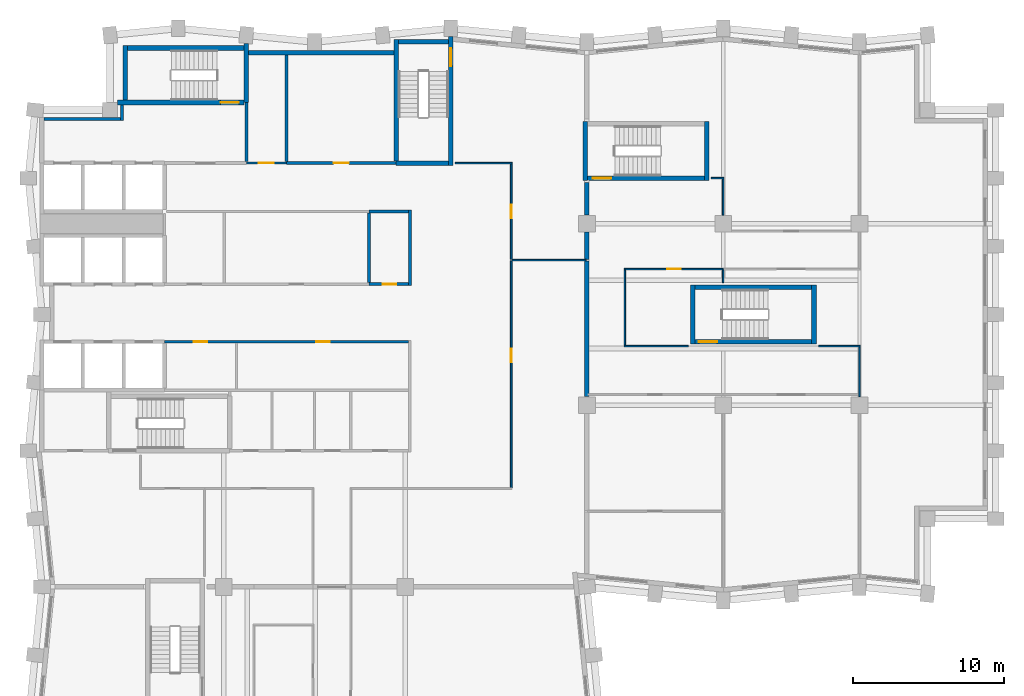
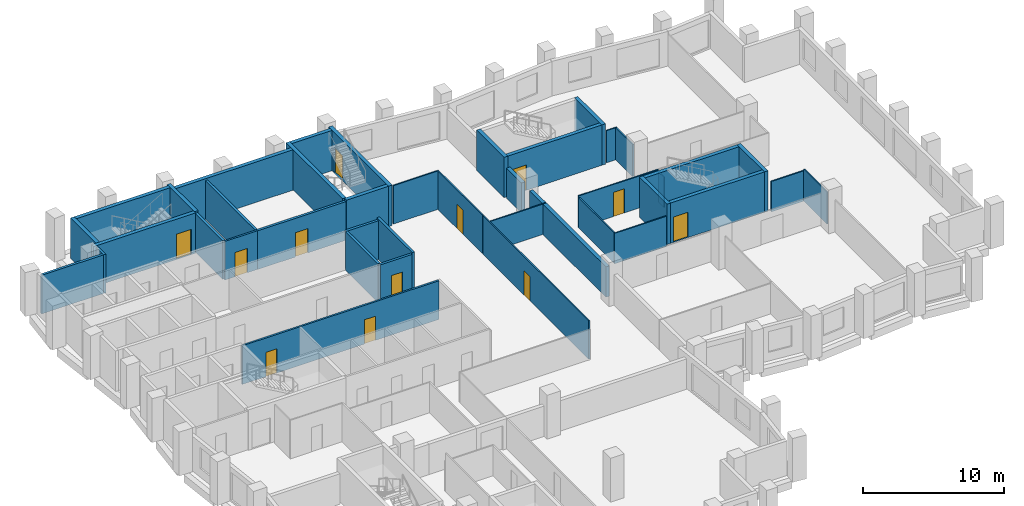
# One storey, part 6 of 10: 42 walls, 12 doors, 12 openings.
"""IFC4 building model written with IfcOpenShell, lengths in metres."""

from ifc_helpers import new_model, si_unit, direction, frame, frame_2d, origin, place, context, subcontext, project, spatial, rectangle, extrude, material, layer, layer_set, type_object, element, fill, save


model = new_model("IFC4")

# Units and contexts
model_context = context("Model", 3, precision=1e-05, world=origin(), true_north=direction((0.0, 1.0)))
body_context = subcontext(model_context, "Body", "Model", "MODEL_VIEW")
ifc_project = project(units=[si_unit("LENGTHUNIT", "METRE"), si_unit("AREAUNIT", "SQUARE_METRE"), si_unit("VOLUMEUNIT", "CUBIC_METRE"), si_unit("PLANEANGLEUNIT", "RADIAN"), si_unit("MASSUNIT", "GRAM", prefix="KILO")], contexts=[model_context])

# Site, building, storey
site_placement = place(None, origin())
site = spatial("IfcSite", under=ifc_project, at=site_placement, CompositionType="ELEMENT")
building_placement = place(site_placement, origin())
building = spatial("IfcBuilding", under=site, at=building_placement, Name="Brondeck Convention Tower", CompositionType="ELEMENT")
storey_placement = place(building_placement, frame((0.0, 0.0, 189.0)))
storey = spatial("IfcBuildingStorey", under=building, at=storey_placement, Name="L46", CompositionType="ELEMENT", Elevation=189.0)

# Walls
ifc_material_1 = material(Name="Concrete compartment wall C30/37", Category="concrete")
ifc_layer_1 = layer(ifc_material_1, 0.300048828125)
ifc_layer_set_1 = layer_set([ifc_layer_1], Name="Compartment wall 300")
wall_type_1 = type_object("IfcWallType", Name="Compartment wall 300", PredefinedType="PARTITIONING", material=ifc_layer_set_1)
wall_1_placement = place(storey_placement, frame((36.0, 39.570068359375, 0.0), z_axis=(0.0, 0.0, 1.0), x_axis=(0.0, 1.0, 0.0)))
element("IfcWall", 1, at=wall_1_placement, inside=storey, type_object=wall_type_1, Name="FLR-L46-W039", PredefinedType="PARTITIONING", context=body_context, shape_type="SweptSolid", body=[
    extrude(rectangle(XDim=8.968017578125, YDim=0.300048828125, at=frame_2d((4.48388671875, 0.0))), origin(), (0.0, 0.0, 1.0), 2.6298828125),
])
wall_2_placement = place(storey_placement, frame((36.0, 48.637939453125, 0.0), z_axis=(0.0, 0.0, 1.0), x_axis=(0.0, 1.0, 0.0)))
element("IfcWall", 2, at=wall_2_placement, inside=storey, type_object=wall_type_1, Name="FLR-L46-W049", PredefinedType="PARTITIONING", context=body_context, shape_type="SweptSolid", body=[
    extrude(rectangle(XDim=1.80712890625, YDim=0.300048828125, at=frame_2d((0.903564453125, 0.0))), origin(), (0.0, 0.0, 1.0), 2.6298828125),
])
wall_3_placement = place(storey_placement, frame((36.0, 51.554931640625, 0.0), z_axis=(0.0, 0.0, 1.0), x_axis=(0.0, 1.0, 0.0)))
element("IfcWall", 3, at=wall_3_placement, inside=storey, type_object=wall_type_1, Name="FLR-L46-W052", PredefinedType="PARTITIONING", context=body_context, shape_type="SweptSolid", body=[
    extrude(rectangle(XDim=2.14501953125, YDim=0.300048828125, at=frame_2d((1.072509765625, 0.0))), origin(), (0.0, 0.0, 1.0), 2.6298828125),
])
ifc_material_2 = material(Name="Concrete C70/85", Category="concrete")
ifc_layer_2 = layer(ifc_material_2, 0.199951171875)
ifc_layer_set_2 = layer_set([ifc_layer_2], Name="Core beam-seat wall 200 Concrete C70/85")
wall_type_2 = type_object("IfcWallType", Name="Core beam-seat wall 200 Concrete C70/85", PredefinedType="SHEAR", material=ifc_layer_set_2)
wall_4_placement = place(storey_placement, frame((24.300048828125, 46.89990234375, 0.0), z_axis=(0.0, 0.0, 1.0), x_axis=(0.0, 1.0, 0.0)))
element("IfcWall", 4, at=wall_4_placement, inside=storey, type_object=wall_type_2, Name="L46 core wall", PredefinedType="SHEAR", context=body_context, shape_type="SweptSolid", body=[
    extrude(rectangle(XDim=5.0, YDim=0.199951171875, at=frame_2d((2.5, 0.0))), origin(), (0.0, 0.0, 1.0), 3.5),
])
ifc_layer_3 = layer(ifc_material_2, 0.300048828125)
ifc_layer_set_3 = layer_set([ifc_layer_3], Name="Core outer wall 300 Concrete C70/85")
wall_type_3 = type_object("IfcWallType", Name="Core outer wall 300 Concrete C70/85", PredefinedType="SHEAR", material=ifc_layer_set_3)
wall_5_placement = place(storey_placement, frame((13.64990234375, 62.300048828125, 0.0), z_axis=(0.0, 0.0, 1.0), x_axis=(1.0, 0.0, 0.0)))
element("IfcWall", 5, at=wall_5_placement, inside=storey, type_object=wall_type_3, Name="L46 core wall", PredefinedType="SHEAR", context=body_context, shape_type="SweptSolid", body=[
    extrude(rectangle(XDim=9.60009765625, YDim=0.300048828125, at=frame_2d((4.800048828125, 0.0))), origin(), (0.0, 0.0, 1.0), 3.5),
])

# Wall, openings, doors
ifc_material_3 = material(Name="Fire-rated gypsum board partition")
ifc_layer_4 = layer(ifc_material_3, 0.14990234375)
ifc_layer_set_4 = layer_set([ifc_layer_4], Name="Core partition 150 EI 60")
wall_type_4 = type_object("IfcWallType", Name="Core partition 150 EI 60", PredefinedType="PARTITIONING", material=ifc_layer_set_4)
wall_6_placement = place(storey_placement, frame((8.10009765625, 43.199951171875, 0.0), z_axis=(0.0, 0.0, 1.0), x_axis=(1.0, 0.0, 0.0)))
wall_6 = element("IfcWall", 6, at=wall_6_placement, inside=storey, type_object=wall_type_4, Name="L46 core wall", PredefinedType="PARTITIONING", context=body_context, shape_type="SweptSolid", body=[
    extrude(rectangle(XDim=16.125, YDim=0.14990234375, at=frame_2d((8.0625, 0.0))), origin(), (0.0, 0.0, 1.0), 3.35009765625),
])
opening_1_placement = place(wall_6_placement, frame((1.925048828125, 0.0, 0.0)))
opening_1 = element("IfcOpeningElement", 7, at=opening_1_placement, cuts=wall_6, Name="Opening C25-10", PredefinedType="OPENING", context=body_context, shape_type="SweptSolid", body=[
    extrude(rectangle(XDim=0.89990234375, YDim=2.10009765625, at=frame_2d((0.449951171875, 1.050048828125))), frame((0.0, 0.0849609375, 0.0), z_axis=(0.0, -1.0, 0.0), x_axis=(1.0, 0.0, 0.0)), (0.0, 0.0, 1.0), 0.169921875),
])
opening_2_placement = place(wall_6_placement, frame((10.02490234375, 0.0, 0.0)))
opening_2 = element("IfcOpeningElement", 8, at=opening_2_placement, cuts=wall_6, Name="Opening C25-11", PredefinedType="OPENING", context=body_context, shape_type="SweptSolid", body=[
    extrude(rectangle(XDim=0.89990234375, YDim=2.10009765625, at=frame_2d((0.449951171875, 1.050048828125))), frame((0.0, 0.0849609375, 0.0), z_axis=(0.0, -1.0, 0.0), x_axis=(1.0, 0.0, 0.0)), (0.0, 0.0, 1.0), 0.169921875),
])
ifc_material_4 = material(Name="Steel fire door", Category="steel")
door_type_1 = type_object("IfcDoorType", Name="Room door 900x2100 EI 60", OperationType="NOTDEFINED", PredefinedType="DOOR", material=ifc_material_4)
door_1_placement = place(opening_1_placement, origin())
door_1 = element("IfcDoor", 9, at=door_1_placement, inside=storey, type_object=door_type_1, Name="L46 Room door FZ-S-8.1-1", OperationType="SINGLE_SWING_RIGHT", OverallHeight=2.10009765625, OverallWidth=0.89990234375, PredefinedType="DOOR", context=body_context, shape_type="SweptSolid", body=[
    extrude(rectangle(XDim=0.89990234375, YDim=2.10009765625, at=frame_2d((0.449951171875, 1.050048828125))), frame((0.0, 0.02490234375, 0.0), z_axis=(0.0, -1.0, 0.0), x_axis=(1.0, 0.0, 0.0)), (0.0, 0.0, 1.0), 0.050048828125),
])
fill(opening_1, door_1)
door_2_placement = place(opening_2_placement, origin())
door_2 = element("IfcDoor", 10, at=door_2_placement, inside=storey, type_object=door_type_1, Name="L46 Room door FZ-S-8.1-2", OperationType="SINGLE_SWING_LEFT", OverallHeight=2.10009765625, OverallWidth=0.89990234375, PredefinedType="DOOR", context=body_context, shape_type="SweptSolid", body=[
    extrude(rectangle(XDim=0.89990234375, YDim=2.10009765625, at=frame_2d((0.449951171875, 1.050048828125))), frame((0.0, 0.02490234375, 0.0), z_axis=(0.0, -1.0, 0.0), x_axis=(1.0, 0.0, 0.0)), (0.0, 0.0, 1.0), 0.050048828125),
])
fill(opening_2, door_2)

# Wall, opening, door
wall_7_placement = place(storey_placement, frame((13.5, 55.0, 0.0), z_axis=(0.0, 0.0, 1.0), x_axis=(1.0, 0.0, 0.0)))
wall_7 = element("IfcWall", 11, at=wall_7_placement, inside=storey, type_object=wall_type_4, Name="L46 core wall", PredefinedType="PARTITIONING", context=body_context, shape_type="SweptSolid", body=[
    extrude(rectangle(XDim=2.64990234375, YDim=0.14990234375, at=frame_2d((1.324951171875, 0.0))), origin(), (0.0, 0.0, 1.0), 3.35009765625),
])
opening_3_placement = place(wall_7_placement, frame((0.824951171875, 0.0, 0.0)))
opening_3 = element("IfcOpeningElement", 12, at=opening_3_placement, cuts=wall_7, Name="Opening C25-12", PredefinedType="OPENING", context=body_context, shape_type="SweptSolid", body=[
    extrude(rectangle(XDim=1.0, YDim=2.10009765625, at=frame_2d((0.5, 1.050048828125))), frame((0.0, 0.0849609375, 0.0), z_axis=(0.0, -1.0, 0.0), x_axis=(1.0, 0.0, 0.0)), (0.0, 0.0, 1.0), 0.169921875),
])
door_type_2 = type_object("IfcDoorType", Name="Room door 1000x2100 EI 60", OperationType="NOTDEFINED", PredefinedType="DOOR", material=ifc_material_4)
door_3_placement = place(opening_3_placement, origin())
door_3 = element("IfcDoor", 13, at=door_3_placement, inside=storey, type_object=door_type_2, Name="L46 Room door NE-1", OperationType="SINGLE_SWING_LEFT", OverallHeight=2.10009765625, OverallWidth=1.0, PredefinedType="DOOR", context=body_context, shape_type="SweptSolid", body=[
    extrude(rectangle(XDim=1.0, YDim=2.10009765625, at=frame_2d((0.5, 1.050048828125))), frame((0.0, 0.02490234375, 0.0), z_axis=(0.0, -1.0, 0.0), x_axis=(1.0, 0.0, 0.0)), (0.0, 0.0, 1.0), 0.050048828125),
])
fill(opening_3, door_3)

# Walls
ifc_layer_5 = layer(ifc_material_3, 0.199951171875)
ifc_layer_set_5 = layer_set([ifc_layer_5], Name="Firefighting lobby wall 200 EI 120")
wall_type_5 = type_object("IfcWallType", Name="Firefighting lobby wall 200 EI 120", PredefinedType="PARTITIONING", material=ifc_layer_set_5)
wall_8_placement = place(storey_placement, frame((0.14990234375, 57.89990234375, 0.0), z_axis=(0.0, 0.0, 1.0), x_axis=(1.0, 0.0, 0.0)))
element("IfcWall", 14, at=wall_8_placement, inside=storey, type_object=wall_type_5, Name="L46 core wall", PredefinedType="PARTITIONING", context=body_context, shape_type="SweptSolid", body=[
    extrude(rectangle(XDim=5.050048828125, YDim=0.199951171875, at=frame_2d((2.52490234375, 0.0))), origin(), (0.0, 0.0, 1.0), 3.35009765625),
])
wall_9_placement = place(storey_placement, frame((5.300048828125, 57.800048828125, 0.0), z_axis=(0.0, 0.0, 1.0), x_axis=(0.0, 1.0, 0.0)))
element("IfcWall", 15, at=wall_9_placement, inside=storey, type_object=wall_type_5, Name="L46 core wall", PredefinedType="PARTITIONING", context=body_context, shape_type="SweptSolid", body=[
    extrude(rectangle(XDim=1.050048828125, YDim=0.199951171875, at=frame_2d((0.52490234375, 0.0))), origin(), (0.0, 0.0, 1.0), 3.35009765625),
])
wall_10_placement = place(storey_placement, frame((13.5, 55.10009765625, 0.0), z_axis=(0.0, 0.0, 1.0), x_axis=(0.0, 1.0, 0.0)))
element("IfcWall", 16, at=wall_10_placement, inside=storey, type_object=wall_type_5, Name="L46 core wall", PredefinedType="PARTITIONING", context=body_context, shape_type="SweptSolid", body=[
    extrude(rectangle(XDim=3.89990234375, YDim=0.199951171875, at=frame_2d((1.949951171875, 0.0))), origin(), (0.0, 0.0, 1.0), 3.35009765625),
])

# Wall, opening, door
ifc_layer_6 = layer(ifc_material_3, 0.199951171875)
ifc_layer_set_6 = layer_set([ifc_layer_6], Name="Riser wall 200 EI 120")
wall_type_6 = type_object("IfcWallType", Name="Riser wall 200 EI 120", PredefinedType="PARTITIONING", material=ifc_layer_set_6)
wall_11_placement = place(storey_placement, frame((21.60009765625, 47.0, 0.0), z_axis=(0.0, 0.0, 1.0), x_axis=(1.0, 0.0, 0.0)))
wall_11 = element("IfcWall", 17, at=wall_11_placement, inside=storey, type_object=wall_type_6, Name="L46 core wall", PredefinedType="PARTITIONING", context=body_context, shape_type="SweptSolid", body=[
    extrude(rectangle(XDim=2.599853515625, YDim=0.199951171875, at=frame_2d((1.2998046875, 0.0))), origin(), (0.0, 0.0, 1.0), 3.35009765625),
])
opening_4_placement = place(wall_11_placement, frame((0.89990234375, 0.0, 0.0)))
opening_4 = element("IfcOpeningElement", 18, at=opening_4_placement, cuts=wall_11, Name="Opening C25-02", PredefinedType="OPENING", context=body_context, shape_type="SweptSolid", body=[
    extrude(rectangle(XDim=0.89990234375, YDim=2.10009765625, at=frame_2d((0.449951171875, 1.050048828125))), frame((0.0, 0.10986328125, 0.0), z_axis=(0.0, -1.0, 0.0), x_axis=(1.0, 0.0, 0.0)), (0.0, 0.0, 1.0), 0.219970703125),
])
door_type_3 = type_object("IfcDoorType", Name="Riser door 900x2100 EI 120", OperationType="NOTDEFINED", PredefinedType="DOOR", material=ifc_material_4)
door_4_placement = place(opening_4_placement, origin())
door_4 = element("IfcDoor", 19, at=door_4_placement, inside=storey, type_object=door_type_3, Name="L46 Riser door EN-1", OperationType="SINGLE_SWING_LEFT", OverallHeight=2.10009765625, OverallWidth=0.89990234375, PredefinedType="DOOR", context=body_context, shape_type="SweptSolid", body=[
    extrude(rectangle(XDim=0.89990234375, YDim=2.10009765625, at=frame_2d((0.449951171875, 1.050048828125))), frame((0.0, 0.02490234375, 0.0), z_axis=(0.0, -1.0, 0.0), x_axis=(1.0, 0.0, 0.0)), (0.0, 0.0, 1.0), 0.050048828125),
])
fill(opening_4, door_4)

# Wall
wall_12_placement = place(storey_placement, frame((21.60009765625, 51.800048828125, 0.0), z_axis=(0.0, 0.0, 1.0), x_axis=(1.0, 0.0, 0.0)))
element("IfcWall", 20, at=wall_12_placement, inside=storey, type_object=wall_type_6, Name="L46 core wall", PredefinedType="PARTITIONING", context=body_context, shape_type="SweptSolid", body=[
    extrude(rectangle(XDim=2.599853515625, YDim=0.199951171875, at=frame_2d((1.2998046875, 0.0))), origin(), (0.0, 0.0, 1.0), 3.35009765625),
])

# Wall, opening, door
wall_13_placement = place(storey_placement, frame((16.14990234375, 55.0, 0.0), z_axis=(0.0, 0.0, 1.0), x_axis=(1.0, 0.0, 0.0)))
wall_13 = element("IfcWall", 21, at=wall_13_placement, inside=storey, type_object=wall_type_6, Name="L46 core wall", PredefinedType="PARTITIONING", context=body_context, shape_type="SweptSolid", body=[
    extrude(rectangle(XDim=7.25, YDim=0.199951171875, at=frame_2d((3.625, 0.0))), origin(), (0.0, 0.0, 1.0), 3.35009765625),
])
opening_5_placement = place(wall_13_placement, frame((3.125, 0.0, 0.0)))
opening_5 = element("IfcOpeningElement", 22, at=opening_5_placement, cuts=wall_13, Name="Opening C25-13", PredefinedType="OPENING", context=body_context, shape_type="SweptSolid", body=[
    extrude(rectangle(XDim=1.0, YDim=2.10009765625, at=frame_2d((0.5, 1.050048828125))), frame((0.0, 0.10986328125, 0.0), z_axis=(0.0, -1.0, 0.0), x_axis=(1.0, 0.0, 0.0)), (0.0, 0.0, 1.0), 0.219970703125),
])
door_type_4 = type_object("IfcDoorType", Name="Riser door 1000x2100 EI 120", OperationType="NOTDEFINED", PredefinedType="DOOR", material=ifc_material_4)
door_5_placement = place(opening_5_placement, origin())
door_5 = element("IfcDoor", 23, at=door_5_placement, inside=storey, type_object=door_type_4, Name="L46 Riser door NE-2", OperationType="SINGLE_SWING_RIGHT", OverallHeight=2.10009765625, OverallWidth=1.0, PredefinedType="DOOR", context=body_context, shape_type="SweptSolid", body=[
    extrude(rectangle(XDim=1.0, YDim=2.10009765625, at=frame_2d((0.5, 1.050048828125))), frame((0.0, 0.02490234375, 0.0), z_axis=(0.0, -1.0, 0.0), x_axis=(1.0, 0.0, 0.0)), (0.0, 0.0, 1.0), 0.050048828125),
])
fill(opening_5, door_5)

# Walls
wall_14_placement = place(storey_placement, frame((16.14990234375, 55.10009765625, 0.0), z_axis=(0.0, 0.0, 1.0), x_axis=(0.0, 1.0, 0.0)))
element("IfcWall", 24, at=wall_14_placement, inside=storey, type_object=wall_type_6, Name="L46 core wall", PredefinedType="PARTITIONING", context=body_context, shape_type="SweptSolid", body=[
    extrude(rectangle(XDim=7.0498046875, YDim=0.199951171875, at=frame_2d((3.52490234375, 0.0))), origin(), (0.0, 0.0, 1.0), 3.35009765625),
])
wall_15_placement = place(storey_placement, frame((21.60009765625, 47.10009765625, 0.0), z_axis=(0.0, 0.0, 1.0), x_axis=(0.0, 1.0, 0.0)))
element("IfcWall", 25, at=wall_15_placement, inside=storey, type_object=wall_type_6, Name="L46 core wall", PredefinedType="PARTITIONING", context=body_context, shape_type="SweptSolid", body=[
    extrude(rectangle(XDim=4.599853515625, YDim=0.199951171875, at=frame_2d((2.2998046875, 0.0))), origin(), (0.0, 0.0, 1.0), 3.35009765625),
])
ifc_material_5 = material(Name="Gypsum board partition on steel studs", Category="steel")
ifc_layer_7 = layer(ifc_material_5, 0.10009765625)
ifc_layer_set_7 = layer_set([ifc_layer_7], Name="Room partition 100")
wall_type_7 = type_object("IfcWallType", Name="Room partition 100", PredefinedType="PARTITIONING", material=ifc_layer_set_7)
wall_16_placement = place(storey_placement, frame((54.0, 42.85009765625, 0.0), z_axis=(0.0, 0.0, 1.0), x_axis=(0.0, -1.0, 0.0)))
element("IfcWall", 26, at=wall_16_placement, inside=storey, type_object=wall_type_7, Name="FLR-L46-W040", PredefinedType="PARTITIONING", context=body_context, shape_type="SweptSolid", body=[
    extrude(rectangle(XDim=3.280029296875, YDim=0.10009765625, at=frame_2d((1.64013671875, 0.0))), origin(), (0.0, 0.0, 1.0), 2.780029296875),
])
wall_17_placement = place(storey_placement, frame((38.449951171875, 42.89990234375, 0.0), z_axis=(0.0, 0.0, 1.0), x_axis=(1.0, 0.0, 0.0)))
element("IfcWall", 27, at=wall_17_placement, inside=storey, type_object=wall_type_7, Name="FLR-L46-W041", PredefinedType="PARTITIONING", context=body_context, shape_type="SweptSolid", body=[
    extrude(rectangle(XDim=4.25, YDim=0.10009765625, at=frame_2d((2.125, 0.0))), origin(), (0.0, 0.0, 1.0), 2.6298828125),
])
wall_18_placement = place(storey_placement, frame((51.300048828125, 42.89990234375, 0.0), z_axis=(0.0, 0.0, 1.0), x_axis=(1.0, 0.0, 0.0)))
element("IfcWall", 28, at=wall_18_placement, inside=storey, type_object=wall_type_7, Name="FLR-L46-W042", PredefinedType="PARTITIONING", context=body_context, shape_type="SweptSolid", body=[
    extrude(rectangle(XDim=2.75, YDim=0.10009765625, at=frame_2d((1.375, 0.0))), origin(), (0.0, 0.0, 1.0), 2.6298828125),
])
wall_19_placement = place(storey_placement, frame((38.5, 47.949951171875, 0.0), z_axis=(0.0, 0.0, 1.0), x_axis=(0.0, -1.0, 0.0)))
element("IfcWall", 29, at=wall_19_placement, inside=storey, type_object=wall_type_7, Name="FLR-L46-W043", PredefinedType="PARTITIONING", context=body_context, shape_type="SweptSolid", body=[
    extrude(rectangle(XDim=5.0, YDim=0.10009765625, at=frame_2d((2.5, 0.0))), origin(), (0.0, 0.0, 1.0), 2.6298828125),
])
wall_20_placement = place(storey_placement, frame((45.0, 47.949951171875, 0.0), z_axis=(0.0, 0.0, 1.0), x_axis=(0.0, -1.0, 0.0)))
element("IfcWall", 30, at=wall_20_placement, inside=storey, type_object=wall_type_7, Name="FLR-L46-W044", PredefinedType="PARTITIONING", context=body_context, shape_type="SweptSolid", body=[
    extrude(rectangle(XDim=0.849853515625, YDim=0.10009765625, at=frame_2d((0.4248046875, 0.0))), origin(), (0.0, 0.0, 1.0), 2.6298828125),
])

# Wall, opening, door
wall_21_placement = place(storey_placement, frame((45.0, 48.0, 0.0), z_axis=(0.0, 0.0, 1.0), x_axis=(-1.0, 0.0, 0.0)))
wall_21 = element("IfcWall", 31, at=wall_21_placement, inside=storey, type_object=wall_type_7, Name="FLR-L46-W045", PredefinedType="PARTITIONING", context=body_context, shape_type="SweptSolid", body=[
    extrude(rectangle(XDim=6.550048828125, YDim=0.10009765625, at=frame_2d((3.27490234375, 0.0))), origin(), (0.0, 0.0, 1.0), 2.780029296875),
])
opening_6_placement = place(wall_21_placement, frame((2.800048828125, 0.0, 0.0)))
opening_6 = element("IfcOpeningElement", 32, at=opening_6_placement, cuts=wall_21, Name="Opening OF-J-002", PredefinedType="OPENING", context=body_context, shape_type="SweptSolid", body=[
    extrude(rectangle(XDim=0.89990234375, YDim=2.10009765625, at=frame_2d((0.449951171875, 1.050048828125))), frame((0.0, 0.06005859375, 0.0), z_axis=(0.0, -1.0, 0.0), x_axis=(1.0, 0.0, 0.0)), (0.0, 0.0, 1.0), 0.1201171875),
])
ifc_material_6 = material(Name="Solid timber door leaf", Category="wood")
door_type_5 = type_object("IfcDoorType", Name="Single door 900", OperationType="NOTDEFINED", PredefinedType="DOOR", material=ifc_material_6)
door_6_placement = place(opening_6_placement, origin())
door_6 = element("IfcDoor", 33, at=door_6_placement, inside=storey, type_object=door_type_5, Name="Door OF-J-002", OperationType="SINGLE_SWING_RIGHT", OverallHeight=2.10009765625, OverallWidth=0.89990234375, PredefinedType="DOOR", context=body_context, shape_type="SweptSolid", body=[
    extrude(rectangle(XDim=0.89990234375, YDim=2.10009765625, at=frame_2d((0.449951171875, 1.050048828125))), frame((0.0, 0.02490234375, 0.0), z_axis=(0.0, -1.0, 0.0), x_axis=(1.0, 0.0, 0.0)), (0.0, 0.0, 1.0), 0.050048828125),
])
fill(opening_6, door_6)

wall_22_placement = place(storey_placement, frame((31.0, 48.5380859375, 0.0), z_axis=(0.0, 0.0, 1.0), x_axis=(0.0, -1.0, 0.0)))
wall_22 = element("IfcWall", 34, at=wall_22_placement, inside=storey, type_object=wall_type_7, Name="FLR-L46-W047", PredefinedType="PARTITIONING", context=body_context, shape_type="SweptSolid", body=[
    extrude(rectangle(XDim=14.988037109375, YDim=0.10009765625, at=frame_2d((7.494140625, 0.0))), origin(), (0.0, 0.0, 1.0), 3.330078125),
])
opening_7_placement = place(wall_22_placement, frame((5.7939453125, 0.0, 0.0)))
opening_7 = element("IfcOpeningElement", 35, at=opening_7_placement, cuts=wall_22, Name="Opening OF-J-014", PredefinedType="OPENING", context=body_context, shape_type="SweptSolid", body=[
    extrude(rectangle(XDim=0.89990234375, YDim=2.10009765625, at=frame_2d((0.449951171875, 1.050048828125))), frame((0.0, 0.06005859375, 0.0), z_axis=(0.0, -1.0, 0.0), x_axis=(1.0, 0.0, 0.0)), (0.0, 0.0, 1.0), 0.1201171875),
])
door_7_placement = place(opening_7_placement, origin())
door_7 = element("IfcDoor", 36, at=door_7_placement, inside=storey, type_object=door_type_5, Name="Door OF-J-014", OperationType="SINGLE_SWING_RIGHT", OverallHeight=2.10009765625, OverallWidth=0.89990234375, PredefinedType="DOOR", context=body_context, shape_type="SweptSolid", body=[
    extrude(rectangle(XDim=0.89990234375, YDim=2.10009765625, at=frame_2d((0.449951171875, 1.050048828125))), frame((0.0, 0.02490234375, 0.0), z_axis=(0.0, -1.0, 0.0), x_axis=(1.0, 0.0, 0.0)), (0.0, 0.0, 1.0), 0.050048828125),
])
fill(opening_7, door_7)

# Walls
wall_23_placement = place(storey_placement, frame((31.050048828125, 48.587890625, 0.0), z_axis=(0.0, 0.0, 1.0), x_axis=(1.0, 0.0, 0.0)))
element("IfcWall", 37, at=wall_23_placement, inside=storey, type_object=wall_type_7, Name="FLR-L46-W048", PredefinedType="PARTITIONING", context=body_context, shape_type="SweptSolid", body=[
    extrude(rectangle(XDim=4.89990234375, YDim=0.10009765625, at=frame_2d((2.449951171875, 0.0))), origin(), (0.0, 0.0, 1.0), 2.6298828125),
])
wall_24_placement = place(storey_placement, frame((45.0, 53.949951171875, 0.0), z_axis=(0.0, 0.0, 1.0), x_axis=(0.0, -1.0, 0.0)))
element("IfcWall", 38, at=wall_24_placement, inside=storey, type_object=wall_type_7, Name="FLR-L46-W054", PredefinedType="PARTITIONING", context=body_context, shape_type="SweptSolid", body=[
    extrude(rectangle(XDim=2.39501953125, YDim=0.10009765625, at=frame_2d((1.197509765625, 0.0))), origin(), (0.0, 0.0, 1.0), 2.780029296875),
])
wall_25_placement = place(storey_placement, frame((44.199951171875, 54.0, 0.0), z_axis=(0.0, 0.0, 1.0), x_axis=(1.0, 0.0, 0.0)))
element("IfcWall", 39, at=wall_25_placement, inside=storey, type_object=wall_type_7, Name="FLR-L46-W055", PredefinedType="PARTITIONING", context=body_context, shape_type="SweptSolid", body=[
    extrude(rectangle(XDim=0.85009765625, YDim=0.10009765625, at=frame_2d((0.425048828125, 0.0))), origin(), (0.0, 0.0, 1.0), 2.780029296875),
])

# Wall, opening, door
wall_26_placement = place(storey_placement, frame((31.0, 54.949951171875, 0.0), z_axis=(0.0, 0.0, 1.0), x_axis=(0.0, -1.0, 0.0)))
wall_26 = element("IfcWall", 40, at=wall_26_placement, inside=storey, type_object=wall_type_7, Name="FLR-L46-W056", PredefinedType="PARTITIONING", context=body_context, shape_type="SweptSolid", body=[
    extrude(rectangle(XDim=6.31201171875, YDim=0.10009765625, at=frame_2d((3.156005859375, 0.0))), origin(), (0.0, 0.0, 1.0), 3.330078125),
])
opening_8_placement = place(wall_26_placement, frame((2.7060546875, 0.0, 0.0)))
opening_8 = element("IfcOpeningElement", 41, at=opening_8_placement, cuts=wall_26, Name="Opening OF-J-015", PredefinedType="OPENING", context=body_context, shape_type="SweptSolid", body=[
    extrude(rectangle(XDim=0.89990234375, YDim=2.10009765625, at=frame_2d((0.449951171875, 1.050048828125))), frame((0.0, 0.06005859375, 0.0), z_axis=(0.0, -1.0, 0.0), x_axis=(1.0, 0.0, 0.0)), (0.0, 0.0, 1.0), 0.1201171875),
])
door_8_placement = place(opening_8_placement, origin())
door_8 = element("IfcDoor", 42, at=door_8_placement, inside=storey, type_object=door_type_5, Name="Door OF-J-015", OperationType="SINGLE_SWING_LEFT", OverallHeight=2.10009765625, OverallWidth=0.89990234375, PredefinedType="DOOR", context=body_context, shape_type="SweptSolid", body=[
    extrude(rectangle(XDim=0.89990234375, YDim=2.10009765625, at=frame_2d((0.449951171875, 1.050048828125))), frame((0.0, 0.02490234375, 0.0), z_axis=(0.0, -1.0, 0.0), x_axis=(1.0, 0.0, 0.0)), (0.0, 0.0, 1.0), 0.050048828125),
])
fill(opening_8, door_8)

# Wall
wall_27_placement = place(storey_placement, frame((27.300048828125, 55.0, 0.0), z_axis=(0.0, 0.0, 1.0), x_axis=(1.0, 0.0, 0.0)))
element("IfcWall", 43, at=wall_27_placement, inside=storey, type_object=wall_type_7, Name="FLR-L46-W057", PredefinedType="PARTITIONING", context=body_context, shape_type="SweptSolid", body=[
    extrude(rectangle(XDim=3.75, YDim=0.10009765625, at=frame_2d((1.875, 0.0))), origin(), (0.0, 0.0, 1.0), 3.330078125),
])

# Wall, opening, door
ifc_layer_8 = layer(ifc_material_2, 0.300048828125)
ifc_layer_set_8 = layer_set([ifc_layer_8], Name="Stair enclosure wall 300 Concrete C70/85")
wall_type_8 = type_object("IfcWallType", Name="Stair enclosure wall 300 Concrete C70/85", PredefinedType="SHEAR", material=ifc_layer_set_8)
wall_28_placement = place(storey_placement, frame((43.14990234375, 43.199951171875, 0.0), z_axis=(0.0, 0.0, 1.0), x_axis=(1.0, 0.0, 0.0)))
wall_28 = element("IfcWall", 44, at=wall_28_placement, inside=storey, type_object=wall_type_8, Name="L46 core wall", PredefinedType="SHEAR", context=body_context, shape_type="SweptSolid", body=[
    extrude(rectangle(XDim=7.7001953125, YDim=0.300048828125, at=frame_2d((3.85009765625, 0.0))), origin(), (0.0, 0.0, 1.0), 3.5),
])
opening_9_placement = place(wall_28_placement, frame((0.25, 0.0, 0.0)))
opening_9 = element("IfcOpeningElement", 45, at=opening_9_placement, cuts=wall_28, Name="Opening C25-18", PredefinedType="OPENING", context=body_context, shape_type="SweptSolid", body=[
    extrude(rectangle(XDim=1.199951171875, YDim=2.199951171875, at=frame_2d((0.60009765625, 1.10009765625))), frame((0.0, 0.159912109375, 0.0), z_axis=(0.0, -1.0, 0.0), x_axis=(1.0, 0.0, 0.0)), (0.0, 0.0, 1.0), 0.320068359375),
])
door_type_6 = type_object("IfcDoorType", Name="Stair door 1200x2200 EI 90", OperationType="NOTDEFINED", PredefinedType="DOOR", material=ifc_material_4)
door_9_placement = place(opening_9_placement, origin())
door_9 = element("IfcDoor", 46, at=door_9_placement, inside=storey, type_object=door_type_6, Name="L46 Stair door ST-AF", OperationType="SINGLE_SWING_RIGHT", OverallHeight=2.199951171875, OverallWidth=1.199951171875, PredefinedType="DOOR", context=body_context, shape_type="SweptSolid", body=[
    extrude(rectangle(XDim=1.199951171875, YDim=2.199951171875, at=frame_2d((0.60009765625, 1.10009765625))), frame((0.0, 0.02490234375, 0.0), z_axis=(0.0, -1.0, 0.0), x_axis=(1.0, 0.0, 0.0)), (0.0, 0.0, 1.0), 0.050048828125),
])
fill(opening_9, door_9)

# Wall
wall_29_placement = place(storey_placement, frame((43.14990234375, 46.800048828125, 0.0), z_axis=(0.0, 0.0, 1.0), x_axis=(1.0, 0.0, 0.0)))
element("IfcWall", 47, at=wall_29_placement, inside=storey, type_object=wall_type_8, Name="L46 core wall", PredefinedType="SHEAR", context=body_context, shape_type="SweptSolid", body=[
    extrude(rectangle(XDim=7.7001953125, YDim=0.300048828125, at=frame_2d((3.85009765625, 0.0))), origin(), (0.0, 0.0, 1.0), 3.5),
])

# Wall, opening, door
wall_30_placement = place(storey_placement, frame((36.050048828125, 54.0, 0.0), z_axis=(0.0, 0.0, 1.0), x_axis=(1.0, 0.0, 0.0)))
wall_30 = element("IfcWall", 48, at=wall_30_placement, inside=storey, type_object=wall_type_8, Name="L46 core wall", PredefinedType="SHEAR", context=body_context, shape_type="SweptSolid", body=[
    extrude(rectangle(XDim=7.699951171875, YDim=0.300048828125, at=frame_2d((3.85009765625, 0.0))), origin(), (0.0, 0.0, 1.0), 3.5),
])
opening_10_placement = place(wall_30_placement, frame((0.35009765625, 0.0, 0.0)))
opening_10 = element("IfcOpeningElement", 49, at=opening_10_placement, cuts=wall_30, Name="Opening C25-17", PredefinedType="OPENING", context=body_context, shape_type="SweptSolid", body=[
    extrude(rectangle(XDim=1.199951171875, YDim=2.199951171875, at=frame_2d((0.60009765625, 1.10009765625))), frame((0.0, 0.159912109375, 0.0), z_axis=(0.0, -1.0, 0.0), x_axis=(1.0, 0.0, 0.0)), (0.0, 0.0, 1.0), 0.320068359375),
])
door_10_placement = place(opening_10_placement, origin())
door_10 = element("IfcDoor", 50, at=door_10_placement, inside=storey, type_object=door_type_6, Name="L46 Stair door ST-AE", OperationType="SINGLE_SWING_LEFT", OverallHeight=2.199951171875, OverallWidth=1.199951171875, PredefinedType="DOOR", context=body_context, shape_type="SweptSolid", body=[
    extrude(rectangle(XDim=1.199951171875, YDim=2.199951171875, at=frame_2d((0.60009765625, 1.10009765625))), frame((0.0, 0.02490234375, 0.0), z_axis=(0.0, -1.0, 0.0), x_axis=(1.0, 0.0, 0.0)), (0.0, 0.0, 1.0), 0.050048828125),
])
fill(opening_10, door_10)

# Wall
wall_31_placement = place(storey_placement, frame((23.39990234375, 55.0, 0.0), z_axis=(0.0, 0.0, 1.0), x_axis=(1.0, 0.0, 0.0)))
element("IfcWall", 51, at=wall_31_placement, inside=storey, type_object=wall_type_8, Name="L46 core wall", PredefinedType="SHEAR", context=body_context, shape_type="SweptSolid", body=[
    extrude(rectangle(XDim=3.4501953125, YDim=0.300048828125, at=frame_2d((1.72509765625, 0.0))), origin(), (0.0, 0.0, 1.0), 3.5),
])

# Wall, opening, door
wall_32_placement = place(storey_placement, frame((5.0, 59.0, 0.0), z_axis=(0.0, 0.0, 1.0), x_axis=(1.0, 0.0, 0.0)))
wall_32 = element("IfcWall", 52, at=wall_32_placement, inside=storey, type_object=wall_type_8, Name="L46 core wall", PredefinedType="SHEAR", context=body_context, shape_type="SweptSolid", body=[
    extrude(rectangle(XDim=8.35009765625, YDim=0.300048828125, at=frame_2d((4.175048828125, 0.0))), origin(), (0.0, 0.0, 1.0), 3.5),
])
opening_11_placement = place(wall_32_placement, frame((6.800048828125, 0.0, 0.0)))
opening_11 = element("IfcOpeningElement", 53, at=opening_11_placement, cuts=wall_32, Name="Opening C25-16", PredefinedType="OPENING", context=body_context, shape_type="SweptSolid", body=[
    extrude(rectangle(XDim=1.199951171875, YDim=2.199951171875, at=frame_2d((0.60009765625, 1.10009765625))), frame((0.0, 0.159912109375, 0.0), z_axis=(0.0, -1.0, 0.0), x_axis=(1.0, 0.0, 0.0)), (0.0, 0.0, 1.0), 0.320068359375),
])
door_type_7 = type_object("IfcDoorType", Name="Stair door 1200x2200 EI 120", OperationType="NOTDEFINED", PredefinedType="DOOR", material=ifc_material_4)
door_11_placement = place(opening_11_placement, origin())
door_11 = element("IfcDoor", 54, at=door_11_placement, inside=storey, type_object=door_type_7, Name="L46 Stair door ST-3", OperationType="SINGLE_SWING_RIGHT", OverallHeight=2.199951171875, OverallWidth=1.199951171875, PredefinedType="DOOR", context=body_context, shape_type="SweptSolid", body=[
    extrude(rectangle(XDim=1.199951171875, YDim=2.199951171875, at=frame_2d((0.60009765625, 1.10009765625))), frame((0.0, 0.02490234375, 0.0), z_axis=(0.0, -1.0, 0.0), x_axis=(1.0, 0.0, 0.0)), (0.0, 0.0, 1.0), 0.050048828125),
])
fill(opening_11, door_11)

# Walls
wall_33_placement = place(storey_placement, frame((5.64990234375, 62.60009765625, 0.0), z_axis=(0.0, 0.0, 1.0), x_axis=(1.0, 0.0, 0.0)))
element("IfcWall", 55, at=wall_33_placement, inside=storey, type_object=wall_type_8, Name="L46 core wall", PredefinedType="SHEAR", context=body_context, shape_type="SweptSolid", body=[
    extrude(rectangle(XDim=7.7001953125, YDim=0.300048828125, at=frame_2d((3.85009765625, 0.0))), origin(), (0.0, 0.0, 1.0), 3.5),
])
wall_34_placement = place(storey_placement, frame((23.550048828125, 63.0, 0.0), z_axis=(0.0, 0.0, 1.0), x_axis=(1.0, 0.0, 0.0)))
element("IfcWall", 56, at=wall_34_placement, inside=storey, type_object=wall_type_8, Name="L46 core wall", PredefinedType="SHEAR", context=body_context, shape_type="SweptSolid", body=[
    extrude(rectangle(XDim=3.300048828125, YDim=0.300048828125, at=frame_2d((1.64990234375, 0.0))), origin(), (0.0, 0.0, 1.0), 3.5),
])
wall_35_placement = place(storey_placement, frame((5.5, 59.14990234375, 0.0), z_axis=(0.0, 0.0, 1.0), x_axis=(0.0, 1.0, 0.0)))
element("IfcWall", 57, at=wall_35_placement, inside=storey, type_object=wall_type_8, Name="L46 core wall", PredefinedType="SHEAR", context=body_context, shape_type="SweptSolid", body=[
    extrude(rectangle(XDim=3.60009765625, YDim=0.300048828125, at=frame_2d((1.800048828125, 0.0))), origin(), (0.0, 0.0, 1.0), 3.5),
])
wall_36_placement = place(storey_placement, frame((13.5, 59.0, 0.0), z_axis=(0.0, 0.0, 1.0), x_axis=(0.0, 1.0, 0.0)))
element("IfcWall", 58, at=wall_36_placement, inside=storey, type_object=wall_type_8, Name="L46 core wall", PredefinedType="SHEAR", context=body_context, shape_type="SweptSolid", body=[
    extrude(rectangle(XDim=3.897216796875, YDim=0.300048828125, at=frame_2d((1.94873046875, 0.0))), origin(), (0.0, 0.0, 1.0), 3.5),
])
wall_37_placement = place(storey_placement, frame((23.39990234375, 55.14990234375, 0.0), z_axis=(0.0, 0.0, 1.0), x_axis=(0.0, 1.0, 0.0)))
element("IfcWall", 59, at=wall_37_placement, inside=storey, type_object=wall_type_8, Name="L46 core wall", PredefinedType="SHEAR", context=body_context, shape_type="SweptSolid", body=[
    extrude(rectangle(XDim=8.0, YDim=0.300048828125, at=frame_2d((4.0, 0.0))), origin(), (0.0, 0.0, 1.0), 3.5),
])

# Wall, opening, door
wall_38_placement = place(storey_placement, frame((27.0, 54.85009765625, 0.0), z_axis=(0.0, 0.0, 1.0), x_axis=(0.0, 1.0, 0.0)))
wall_38 = element("IfcWall", 60, at=wall_38_placement, inside=storey, type_object=wall_type_8, Name="L46 core wall", PredefinedType="SHEAR", context=body_context, shape_type="SweptSolid", body=[
    extrude(rectangle(XDim=8.5, YDim=0.300048828125, at=frame_2d((4.25, 0.0))), origin(), (0.0, 0.0, 1.0), 3.5),
])
opening_12_placement = place(wall_38_placement, frame((6.550048828125, 0.0, 0.0)))
opening_12 = element("IfcOpeningElement", 61, at=opening_12_placement, cuts=wall_38, Name="Opening C25-15", PredefinedType="OPENING", context=body_context, shape_type="SweptSolid", body=[
    extrude(rectangle(XDim=1.199951171875, YDim=2.199951171875, at=frame_2d((0.60009765625, 1.10009765625))), frame((0.0, 0.159912109375, 0.0), z_axis=(0.0, -1.0, 0.0), x_axis=(1.0, 0.0, 0.0)), (0.0, 0.0, 1.0), 0.320068359375),
])
door_12_placement = place(opening_12_placement, origin())
door_12 = element("IfcDoor", 62, at=door_12_placement, inside=storey, type_object=door_type_6, Name="L46 Stair door ST-2", OperationType="SINGLE_SWING_LEFT", OverallHeight=2.199951171875, OverallWidth=1.199951171875, PredefinedType="DOOR", context=body_context, shape_type="SweptSolid", body=[
    extrude(rectangle(XDim=1.199951171875, YDim=2.199951171875, at=frame_2d((0.60009765625, 1.10009765625))), frame((0.0, 0.02490234375, 0.0), z_axis=(0.0, -1.0, 0.0), x_axis=(1.0, 0.0, 0.0)), (0.0, 0.0, 1.0), 0.050048828125),
])
fill(opening_12, door_12)

# Walls
for number, where, z_axis, x_axis, name in (
    (63, (35.89990234375, 53.85009765625, 0.0), (0.0, 0.0, 1.0), (0.0, 1.0, 0.0), "L46 core wall"),
    (64, (43.0, 43.050048828125, 0.0), (0.0, 0.0, 1.0), (0.0, 1.0, 0.0), "L46 core wall"),
    (65, (43.89990234375, 53.85009765625, 0.0), (0.0, 0.0, 1.0), (0.0, 1.0, 0.0), "L46 core wall"),
    (66, (51.0, 43.050048828125, 0.0), (0.0, 0.0, 1.0), (0.0, 1.0, 0.0), "L46 core wall"),
):
    element("IfcWall", number, at=place(storey_placement, frame(where, z_axis=z_axis, x_axis=x_axis)), inside=storey, type_object=wall_type_8, Name=name, PredefinedType="SHEAR", context=body_context, shape_type="SweptSolid", body=[
        extrude(rectangle(XDim=3.89990234375, YDim=0.300048828125, at=frame_2d((1.949951171875, 0.0))), origin(), (0.0, 0.0, 1.0), 3.5),
    ])

save(model, "model.ifc")
